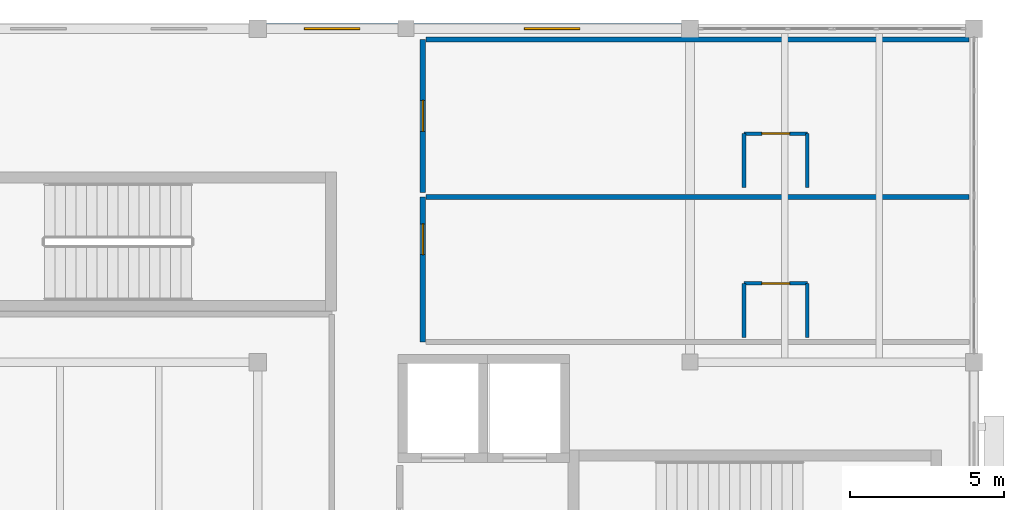
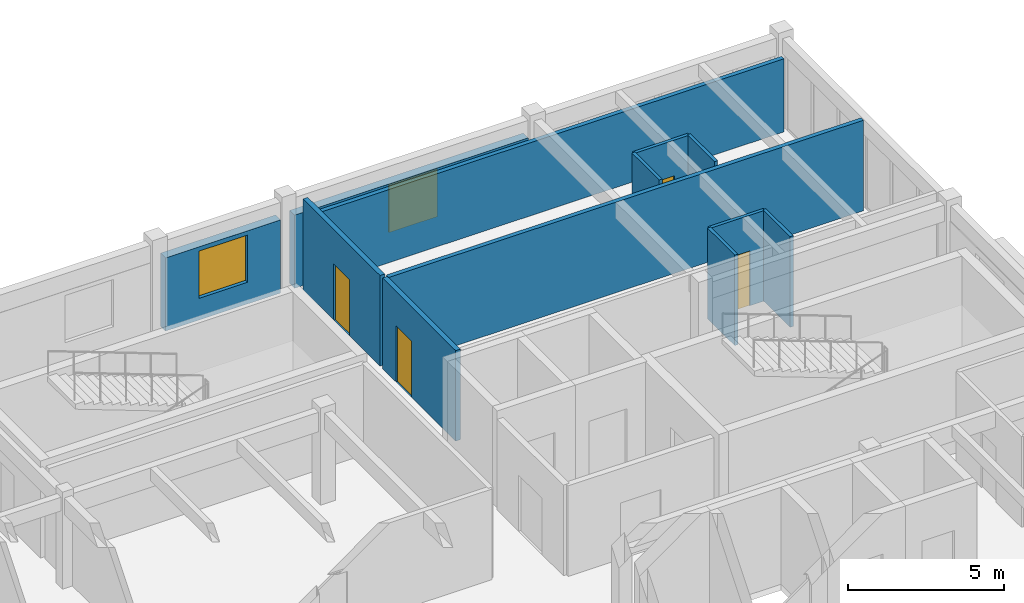
# One storey, part 19 of 31: 12 walls, 4 doors, 2 windows, 6 openings.
"""IFC4 building model written with IfcOpenShell, lengths in metres."""

from ifc_helpers import new_model, si_unit, direction, frame, frame_2d, origin, place, context, subcontext, project, spatial, rectangle, extrude, material, layer, layer_set, type_object, element, fill, save


model = new_model("IFC4")

# Units and contexts
model_context = context("Model", 3, precision=1e-05, world=origin(), true_north=direction((0.0, 1.0)))
body_context = subcontext(model_context, "Body", "Model", "MODEL_VIEW")
ifc_project = project(units=[si_unit("LENGTHUNIT", "METRE"), si_unit("AREAUNIT", "SQUARE_METRE"), si_unit("VOLUMEUNIT", "CUBIC_METRE"), si_unit("PLANEANGLEUNIT", "RADIAN"), si_unit("MASSUNIT", "GRAM", prefix="KILO")], contexts=[model_context])

# Site, building, storey
site_placement = place(None, origin())
site = spatial("IfcSite", under=ifc_project, at=site_placement, CompositionType="ELEMENT")
building_placement = place(site_placement, origin())
building = spatial("IfcBuilding", under=site, at=building_placement, Name="Veldera Park Congress Hotel", CompositionType="ELEMENT")
storey_placement = place(building_placement, frame((0.0, 0.0, 20.0)))
storey = spatial("IfcBuildingStorey", under=building, at=storey_placement, Name="L04", CompositionType="ELEMENT", Elevation=20.0)

# Wall, opening, window
ifc_material_1 = material(Name="Cross-laminated timber CLT V2M1.1", Category="wood")
ifc_layer_1 = layer(ifc_material_1, 0.320068359375)
ifc_layer_set_1 = layer_set([ifc_layer_1], Name="Cross-laminated timber CLT V2M1.1")
wall_type_1 = type_object("IfcWallType", Name="EW-CLT320", PredefinedType="STANDARD", material=ifc_layer_set_1)
wall_1_placement = place(storey_placement, frame((74.52197265625, 58.0, 0.0), z_axis=(0.0, 0.0, 1.0), x_axis=(-1.0, 0.0, 0.0)))
wall_1 = element("IfcWall", 1, at=wall_1_placement, inside=storey, type_object=wall_type_1, Name="L04 Exterior Wall EW3-L04-0256", PredefinedType="STANDARD", context=body_context, shape_type="SweptSolid", body=[
    extrude(rectangle(XDim=8.6640625, YDim=0.320068359375, at=frame_2d((4.33203125, 0.0))), origin(), (0.0, 0.0, 1.0), 2.864990234375),
])
opening_1_placement = place(wall_1_placement, frame((3.285888671875, 0.0, 0.85009765625)))
opening_1 = element("IfcOpeningElement", 2, at=opening_1_placement, cuts=wall_1, Name="Opening WIN-1800", PredefinedType="OPENING", context=body_context, shape_type="SweptSolid", body=[
    extrude(rectangle(XDim=1.800048828125, YDim=1.85009765625, at=frame_2d((0.89990234375, 0.925048828125))), frame((0.0, 0.172119140625, 0.0), z_axis=(0.0, -1.0, 0.0), x_axis=(1.0, 0.0, 0.0)), (0.0, 0.0, 1.0), 0.343994140625),
])
ifc_material_2 = material(Name="Low-E Triple Insulating Glass Unit (SHGC 0.22)", Category="glass")
window_type = type_object("IfcWindowType", Name="WIN-1800", PartitioningType="SINGLE_PANEL", PredefinedType="WINDOW", material=ifc_material_2)
window_1_placement = place(opening_1_placement, origin())
window_1 = element("IfcWindow", 3, at=window_1_placement, inside=storey, type_object=window_type, Name="L04 Window WIN-1800 475", OverallHeight=1.85009765625, OverallWidth=1.800048828125, PartitioningType="SINGLE_PANEL", PredefinedType="WINDOW", context=body_context, shape_type="SweptSolid", body=[
    extrude(rectangle(XDim=1.800048828125, YDim=1.85009765625, at=frame_2d((0.89990234375, 0.925048828125))), frame((0.0, 0.030029296875, 0.0), z_axis=(0.0, -1.0, 0.0), x_axis=(1.0, 0.0, 0.0)), (0.0, 0.0, 1.0), 0.06005859375),
])
fill(opening_1, window_1)

wall_2_placement = place(storey_placement, frame((65.342041015625, 58.0, 0.0), z_axis=(0.0, 0.0, 1.0), x_axis=(-1.0, 0.0, 0.0)))
wall_2 = element("IfcWall", 4, at=wall_2_placement, inside=storey, type_object=wall_type_1, Name="L04 Exterior Wall EW3-L04-0257", PredefinedType="STANDARD", context=body_context, shape_type="SweptSolid", body=[
    extrude(rectangle(XDim=4.26416015625, YDim=0.320068359375, at=frame_2d((2.132080078125, 0.0))), origin(), (0.0, 0.0, 1.0), 2.864990234375),
])
opening_2_placement = place(wall_2_placement, frame((1.23193359375, 0.0, 0.85009765625)))
opening_2 = element("IfcOpeningElement", 5, at=opening_2_placement, cuts=wall_2, Name="Opening WIN-1800", PredefinedType="OPENING", context=body_context, shape_type="SweptSolid", body=[
    extrude(rectangle(XDim=1.800048828125, YDim=1.85009765625, at=frame_2d((0.89990234375, 0.925048828125))), frame((0.0, 0.172119140625, 0.0), z_axis=(0.0, -1.0, 0.0), x_axis=(1.0, 0.0, 0.0)), (0.0, 0.0, 1.0), 0.343994140625),
])
window_2_placement = place(opening_2_placement, origin())
window_2 = element("IfcWindow", 6, at=window_2_placement, inside=storey, type_object=window_type, Name="L04 Window WIN-1800 205", OverallHeight=1.85009765625, OverallWidth=1.800048828125, PartitioningType="SINGLE_PANEL", PredefinedType="WINDOW", context=body_context, shape_type="SweptSolid", body=[
    extrude(rectangle(XDim=1.800048828125, YDim=1.85009765625, at=frame_2d((0.89990234375, 0.925048828125))), frame((0.0, 0.030029296875, 0.0), z_axis=(0.0, -1.0, 0.0), x_axis=(1.0, 0.0, 0.0)), (0.0, 0.0, 1.0), 0.06005859375),
])
fill(opening_2, window_2)

# Walls
ifc_material_3 = material(Name="Fire-Rated Gypsum Board on Cold-Formed Steel Studs", Category="steel")
ifc_layer_2 = layer(ifc_material_3, 0.1201171875)
ifc_layer_set_2 = layer_set([ifc_layer_2], Name="Fire-Rated Gypsum Board on Cold-Formed Steel Studs")
wall_type_2 = type_object("IfcWallType", Name="IW-BATH120", PredefinedType="PARTITIONING", material=ifc_layer_set_2)
for number, where, z_axis, x_axis, name in (
    (7, (76.550048828125, 48.0, 0.0), (0.0, 0.0, 1.0), (0.0, 1.0, 0.0), "L04 Partition Wall IW3-L04-00995"),
    (8, (78.60009765625, 48.0, 0.0), (0.0, 0.0, 1.0), (0.0, 1.0, 0.0), "L04 Partition Wall IW3-L04-00996"),
):
    element("IfcWall", number, at=place(storey_placement, frame(where, z_axis=z_axis, x_axis=x_axis)), inside=storey, type_object=wall_type_2, Name=name, PredefinedType="PARTITIONING", context=body_context, shape_type="SweptSolid", body=[
        extrude(rectangle(XDim=1.75, YDim=0.1201171875, at=frame_2d((0.875, 0.0))), origin(), (0.0, 0.0, 1.0), 3.550048828125),
    ])

# Wall, opening, door
wall_3_placement = place(storey_placement, frame((76.550048828125, 49.75, 0.0), z_axis=(0.0, 0.0, 1.0), x_axis=(1.0, 0.0, 0.0)))
wall_3 = element("IfcWall", 9, at=wall_3_placement, inside=storey, type_object=wall_type_2, Name="L04 Partition Wall IW3-L04-00997", PredefinedType="PARTITIONING", context=body_context, shape_type="SweptSolid", body=[
    extrude(rectangle(XDim=2.050048828125, YDim=0.1201171875, at=frame_2d((1.02490234375, 0.0))), origin(), (0.0, 0.0, 1.0), 3.550048828125),
])
opening_3_placement = place(wall_3_placement, frame((0.574951171875, 0.0, 0.0)))
opening_3 = element("IfcOpeningElement", 10, at=opening_3_placement, cuts=wall_3, Name="Opening ID-BATH090", PredefinedType="OPENING", context=body_context, shape_type="SweptSolid", body=[
    extrude(rectangle(XDim=0.89990234375, YDim=2.14990234375, at=frame_2d((0.449951171875, 1.074951171875))), frame((0.0, 0.072021484375, 0.0), z_axis=(0.0, -1.0, 0.0), x_axis=(1.0, 0.0, 0.0)), (0.0, 0.0, 1.0), 0.14404296875),
])
ifc_material_4 = material(Name="Solid Core White Oak Architectural Door", Category="wood")
door_type_1 = type_object("IfcDoorType", Name="ID-BATH090", OperationType="NOTDEFINED", PredefinedType="DOOR", material=ifc_material_4)
door_1_placement = place(opening_3_placement, origin())
door_1 = element("IfcDoor", 11, at=door_1_placement, inside=storey, type_object=door_type_1, Name="L04 En-suite 136 Door ID3-L04-0411 (DR3-ID3-L04-0411)", OperationType="SINGLE_SWING_LEFT", OverallHeight=2.14990234375, OverallWidth=0.89990234375, PredefinedType="DOOR", context=body_context, shape_type="SweptSolid", body=[
    extrude(rectangle(XDim=0.89990234375, YDim=2.14990234375, at=frame_2d((0.449951171875, 1.074951171875))), frame((0.0, 0.02490234375, 0.0), z_axis=(0.0, -1.0, 0.0), x_axis=(1.0, 0.0, 0.0)), (0.0, 0.0, 1.0), 0.050048828125),
])
fill(opening_3, door_1)

# Walls
for number, where, z_axis, x_axis, name in (
    (12, (76.550048828125, 52.85009765625, 0.0), (0.0, 0.0, 1.0), (0.0, 1.0, 0.0), "L04 Partition Wall IW3-L04-01000"),
    (13, (78.60009765625, 52.85009765625, 0.0), (0.0, 0.0, 1.0), (0.0, 1.0, 0.0), "L04 Partition Wall IW3-L04-01001"),
):
    element("IfcWall", number, at=place(storey_placement, frame(where, z_axis=z_axis, x_axis=x_axis)), inside=storey, type_object=wall_type_2, Name=name, PredefinedType="PARTITIONING", context=body_context, shape_type="SweptSolid", body=[
        extrude(rectangle(XDim=1.75, YDim=0.1201171875, at=frame_2d((0.875, 0.0))), origin(), (0.0, 0.0, 1.0), 3.550048828125),
    ])

# Wall, opening, door
wall_4_placement = place(storey_placement, frame((76.550048828125, 54.60009765625, 0.0), z_axis=(0.0, 0.0, 1.0), x_axis=(1.0, 0.0, 0.0)))
wall_4 = element("IfcWall", 14, at=wall_4_placement, inside=storey, type_object=wall_type_2, Name="L04 Partition Wall IW3-L04-01002", PredefinedType="PARTITIONING", context=body_context, shape_type="SweptSolid", body=[
    extrude(rectangle(XDim=2.050048828125, YDim=0.1201171875, at=frame_2d((1.02490234375, 0.0))), origin(), (0.0, 0.0, 1.0), 3.550048828125),
])
opening_4_placement = place(wall_4_placement, frame((0.574951171875, 0.0, 0.0)))
opening_4 = element("IfcOpeningElement", 15, at=opening_4_placement, cuts=wall_4, Name="Opening ID-BATH090", PredefinedType="OPENING", context=body_context, shape_type="SweptSolid", body=[
    extrude(rectangle(XDim=0.89990234375, YDim=2.14990234375, at=frame_2d((0.449951171875, 1.074951171875))), frame((0.0, 0.072021484375, 0.0), z_axis=(0.0, -1.0, 0.0), x_axis=(1.0, 0.0, 0.0)), (0.0, 0.0, 1.0), 0.14404296875),
])
door_2_placement = place(opening_4_placement, origin())
door_2 = element("IfcDoor", 16, at=door_2_placement, inside=storey, type_object=door_type_1, Name="L04 En-suite 137 Door ID3-L04-0413 (DR3-ID3-L04-0413)", OperationType="SINGLE_SWING_LEFT", OverallHeight=2.14990234375, OverallWidth=0.89990234375, PredefinedType="DOOR", context=body_context, shape_type="SweptSolid", body=[
    extrude(rectangle(XDim=0.89990234375, YDim=2.14990234375, at=frame_2d((0.449951171875, 1.074951171875))), frame((0.0, 0.02490234375, 0.0), z_axis=(0.0, -1.0, 0.0), x_axis=(1.0, 0.0, 0.0)), (0.0, 0.0, 1.0), 0.050048828125),
])
fill(opening_4, door_2)

ifc_layer_3 = layer(ifc_material_3, 0.179931640625)
ifc_layer_set_3 = layer_set([ifc_layer_3], Name="Fire-Rated Gypsum Board on Cold-Formed Steel Studs")
wall_type_3 = type_object("IfcWallType", Name="IW-CORR180", PredefinedType="PARTITIONING", material=ifc_layer_set_3)
wall_5_placement = place(storey_placement, frame((66.14990234375, 52.550048828125, 0.0), z_axis=(0.0, 0.0, 1.0), x_axis=(0.0, -1.0, 0.0)))
wall_5 = element("IfcWall", 17, at=wall_5_placement, inside=storey, type_object=wall_type_3, Name="L04 Corridor Wall IW3-L04-00992", PredefinedType="PARTITIONING", context=body_context, shape_type="SweptSolid", body=[
    extrude(rectangle(XDim=4.699951171875, YDim=0.179931640625, at=frame_2d((2.35009765625, 0.0))), origin(), (0.0, 0.0, 1.0), 3.550048828125),
])
opening_5_placement = place(wall_5_placement, frame((0.8701171875, 0.0, 0.0)))
opening_5 = element("IfcOpeningElement", 18, at=opening_5_placement, cuts=wall_5, Name="Opening ID-UNIT100", PredefinedType="OPENING", context=body_context, shape_type="SweptSolid", body=[
    extrude(rectangle(XDim=1.0, YDim=2.199951171875, at=frame_2d((0.5, 1.10009765625))), frame((0.0, 0.10205078125, 0.0), z_axis=(0.0, -1.0, 0.0), x_axis=(1.0, 0.0, 0.0)), (0.0, 0.0, 1.0), 0.203857421875),
])
door_type_2 = type_object("IfcDoorType", Name="ID-UNIT100", OperationType="NOTDEFINED", PredefinedType="DOOR", material=ifc_material_4)
door_3_placement = place(opening_5_placement, origin())
door_3 = element("IfcDoor", 19, at=door_3_placement, inside=storey, type_object=door_type_2, Name="L04 Guestroom 136 Entry Door (DR3-UD3-L04-136)", OperationType="SINGLE_SWING_RIGHT", OverallHeight=2.199951171875, OverallWidth=1.0, PredefinedType="DOOR", context=body_context, shape_type="SweptSolid", body=[
    extrude(rectangle(XDim=1.0, YDim=2.199951171875, at=frame_2d((0.5, 1.10009765625))), frame((0.0, 0.02490234375, 0.0), z_axis=(0.0, -1.0, 0.0), x_axis=(1.0, 0.0, 0.0)), (0.0, 0.0, 1.0), 0.050048828125),
])
fill(opening_5, door_3)

wall_6_placement = place(storey_placement, frame((66.14990234375, 57.64990234375, 0.0), z_axis=(0.0, 0.0, 1.0), x_axis=(0.0, -1.0, 0.0)))
wall_6 = element("IfcWall", 20, at=wall_6_placement, inside=storey, type_object=wall_type_3, Name="L04 Corridor Wall IW3-L04-00998", PredefinedType="PARTITIONING", context=body_context, shape_type="SweptSolid", body=[
    extrude(rectangle(XDim=4.949951171875, YDim=0.179931640625, at=frame_2d((2.47509765625, 0.0))), origin(), (0.0, 0.0, 1.0), 3.550048828125),
])
opening_6_placement = place(wall_6_placement, frame((1.97509765625, 0.0, 0.0)))
opening_6 = element("IfcOpeningElement", 21, at=opening_6_placement, cuts=wall_6, Name="Opening ID-UNIT100", PredefinedType="OPENING", context=body_context, shape_type="SweptSolid", body=[
    extrude(rectangle(XDim=1.0, YDim=2.199951171875, at=frame_2d((0.5, 1.10009765625))), frame((0.0, 0.10205078125, 0.0), z_axis=(0.0, -1.0, 0.0), x_axis=(1.0, 0.0, 0.0)), (0.0, 0.0, 1.0), 0.203857421875),
])
door_4_placement = place(opening_6_placement, origin())
door_4 = element("IfcDoor", 22, at=door_4_placement, inside=storey, type_object=door_type_2, Name="L04 Guestroom 137 Entry Door (DR3-UD3-L04-137)", OperationType="SINGLE_SWING_RIGHT", OverallHeight=2.199951171875, OverallWidth=1.0, PredefinedType="DOOR", context=body_context, shape_type="SweptSolid", body=[
    extrude(rectangle(XDim=1.0, YDim=2.199951171875, at=frame_2d((0.5, 1.10009765625))), frame((0.0, 0.02490234375, 0.0), z_axis=(0.0, -1.0, 0.0), x_axis=(1.0, 0.0, 0.0)), (0.0, 0.0, 1.0), 0.050048828125),
])
fill(opening_6, door_4)

# Walls
ifc_layer_4 = layer(ifc_material_1, 0.159912109375)
ifc_layer_set_4 = layer_set([ifc_layer_4], Name="Cross-laminated timber CLT V2M1.1")
wall_type_4 = type_object("IfcWallType", Name="IW-UNIT160", PredefinedType="PARTITIONING", material=ifc_layer_set_4)
wall_7_placement = place(storey_placement, frame((66.25, 52.550048828125, 0.0), z_axis=(0.0, 0.0, 1.0), x_axis=(1.0, 0.0, 0.0)))
element("IfcWall", 23, at=wall_7_placement, inside=storey, type_object=wall_type_4, Name="L04 Partition Wall IW3-L04-00994", PredefinedType="PARTITIONING", context=body_context, shape_type="SweptSolid", body=[
    extrude(rectangle(XDim=17.590087890625, YDim=0.159912109375, at=frame_2d((8.794921875, 0.0))), origin(), (0.0, 0.0, 1.0), 3.550048828125),
])
wall_8_placement = place(storey_placement, frame((66.25, 57.64990234375, 0.0), z_axis=(0.0, 0.0, 1.0), x_axis=(1.0, 0.0, 0.0)))
element("IfcWall", 24, at=wall_8_placement, inside=storey, type_object=wall_type_4, Name="L04 Partition Wall IW3-L04-00999", PredefinedType="PARTITIONING", context=body_context, shape_type="SweptSolid", body=[
    extrude(rectangle(XDim=17.590087890625, YDim=0.159912109375, at=frame_2d((8.794921875, 0.0))), origin(), (0.0, 0.0, 1.0), 2.864990234375),
])

save(model, "model.ifc")
